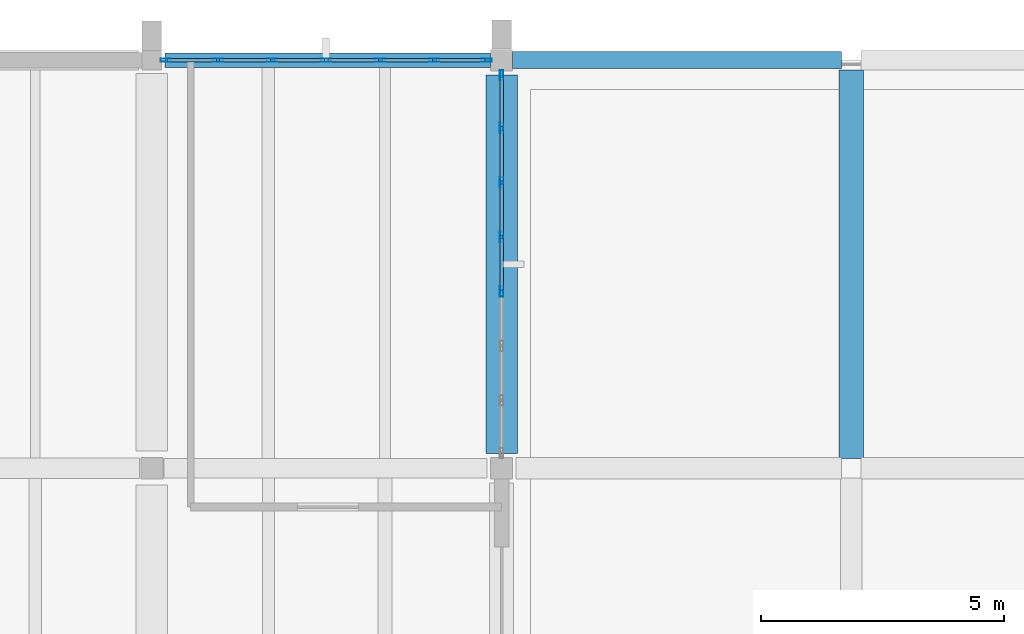
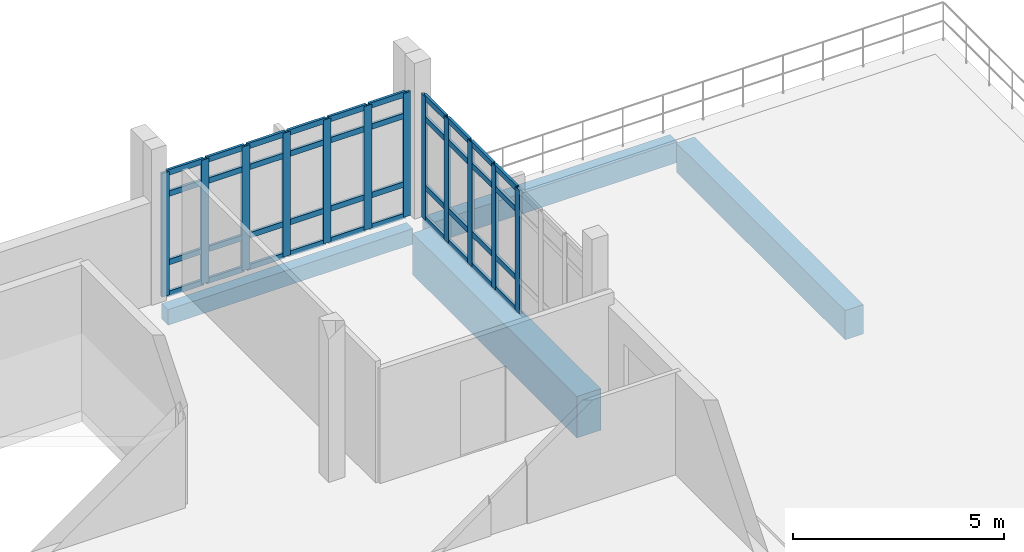
# One storey, part 20 of 34: 52 members, 4 beams, 2 elements without a shape of their own.
"""IFC4 building model written with IfcOpenShell, lengths in metres."""

from ifc_helpers import new_model, si_unit, direction, frame, origin, origin_2d, place, context, subcontext, project, spatial, rectangle, hollow_rectangle, extrude, material, material_profile, profile_set, type_object, element, aggregate, save


model = new_model("IFC4")

# Units and contexts
model_context = context("Model", 3, precision=1e-05, world=origin(), true_north=direction((0.0, 1.0)))
body_context = subcontext(model_context, "Body", "Model", "MODEL_VIEW")
ifc_project = project(units=[si_unit("LENGTHUNIT", "METRE"), si_unit("AREAUNIT", "SQUARE_METRE"), si_unit("VOLUMEUNIT", "CUBIC_METRE"), si_unit("PLANEANGLEUNIT", "RADIAN"), si_unit("MASSUNIT", "GRAM", prefix="KILO")], contexts=[model_context])

# Site, building, storey
site_placement = place(None, origin())
site = spatial("IfcSite", under=ifc_project, at=site_placement, CompositionType="ELEMENT")
building_placement = place(site_placement, origin())
building = spatial("IfcBuilding", under=site, at=building_placement, Name="Kalluvel Institute of Natural Sciences", CompositionType="ELEMENT")
storey_placement = place(building_placement, frame((0.0, 0.0, 36.89990234375)))
storey = spatial("IfcBuildingStorey", under=building, at=storey_placement, Name="L08", CompositionType="ELEMENT", Elevation=36.89990234375)

# Beams
ifc_material_1 = material(Name="Concrete M50", Category="concrete")
ifc_material_profile_1 = material_profile(ifc_material_1, rectangle(XDim=0.5, YDim=0.85009765625, at=origin_2d()), Name="RCB 500x850")
ifc_profile_set_1 = profile_set([ifc_material_profile_1], Name="Concrete M50")
beam_type_1 = type_object("IfcBeamType", Name="BM-RC500x850", PredefinedType="BEAM", material=ifc_profile_set_1)
beam_1_placement = place(storey_placement, frame((93.199951171875, 119.800048828125, -0.744873046875), z_axis=(0.0, 1.0, 0.0), x_axis=(-1.0, 0.0, 0.0)))
element("IfcBeam", 1, at=beam_1_placement, inside=storey, type_object=beam_type_1, Name="L08 girder GIR-L08-NS-X932-Y1196", PredefinedType="BEAM", context=body_context, shape_type="SweptSolid", body=[
    extrude(rectangle(XDim=0.5, YDim=0.85009765625, at=origin_2d()), origin(), (0.0, 0.0, 1.0), 8.0),
])
ifc_material_profile_2 = material_profile(ifc_material_1, rectangle(XDim=0.64990234375, YDim=1.199951171875, at=origin_2d()), Name="RCB 650x1200")
ifc_profile_set_2 = profile_set([ifc_material_profile_2], Name="Concrete M50")
beam_type_2 = type_object("IfcBeamType", Name="BM-RC650x1200", PredefinedType="BEAM", material=ifc_profile_set_2)
beam_2_placement = place(storey_placement, frame((86.0, 119.89990234375, -0.919921875), z_axis=(0.0, 1.0, 0.0), x_axis=(-1.0, 0.0, 0.0)))
element("IfcBeam", 2, at=beam_2_placement, inside=storey, type_object=beam_type_2, Name="L08 girder GIR-L08-NS-X860-Y1196", PredefinedType="BEAM", context=body_context, shape_type="SweptSolid", body=[
    extrude(rectangle(XDim=0.64990234375, YDim=1.199951171875, at=origin_2d()), origin(), (0.0, 0.0, 1.0), 7.800048828125),
])

# Curtain wall, members
ifc_material_2 = material(Name="Aluminium AW-6063 T6", Category="aluminium")
curtain_wall_type = type_object("IfcCurtainWallType", Name="CW-WET-45", PredefinedType="USERDEFINED", material=ifc_material_2)
curtain_wall_1_placement = place(storey_placement, origin())
curtain_wall_1 = element("IfcCurtainWall", 3, at=curtain_wall_1_placement, inside=storey, type_object=curtain_wall_type, Name="L08 Gothic lancet curtain wall CWA-L08-X790-Y1280", ObjectType="UNITISED LANCET FACADE", PredefinedType="USERDEFINED")
ifc_material_profile_3 = material_profile(ifc_material_2, hollow_rectangle(XDim=0.070068359375, YDim=0.2099609375, WallThickness=0.0048828125, at=origin_2d()), Name="CWM 70x210")
ifc_profile_set_3 = profile_set([ifc_material_profile_3], Name="Aluminium AW-6063 T6")
member_type_1 = type_object("IfcMemberType", Name="CWM-70x210", PredefinedType="MULLION", material=ifc_profile_set_3)
member_1_placement = place(storey_placement, frame((79.0849609375, 128.0, 0.0), z_axis=(0.0, 0.0, 1.0), x_axis=(0.0, 1.0, 0.0)))
member_1 = element("IfcMember", 4, at=member_1_placement, type_object=member_type_1, Name="CW-01 mullion 1", PredefinedType="MULLION", context=body_context, shape_type="SweptSolid", body=[
    extrude(hollow_rectangle(XDim=0.070068359375, YDim=0.2099609375, WallThickness=0.0048828125, at=origin_2d()), origin(), (0.0, 0.0, 1.0), 3.580078125),
])
member_2_placement = place(storey_placement, frame((80.16259765625, 128.0, 0.0), z_axis=(0.0, 0.0, 1.0), x_axis=(0.0, 1.0, 0.0)))
member_2 = element("IfcMember", 5, at=member_2_placement, type_object=member_type_1, Name="CW-01 mullion 2", PredefinedType="MULLION", context=body_context, shape_type="SweptSolid", body=[
    extrude(hollow_rectangle(XDim=0.070068359375, YDim=0.2099609375, WallThickness=0.0048828125, at=origin_2d()), origin(), (0.0, 0.0, 1.0), 3.580078125),
])
member_3_placement = place(storey_placement, frame((81.27490234375, 128.0, 0.0), z_axis=(0.0, 0.0, 1.0), x_axis=(0.0, 1.0, 0.0)))
member_3 = element("IfcMember", 6, at=member_3_placement, type_object=member_type_1, Name="CW-01 mullion 3", PredefinedType="MULLION", context=body_context, shape_type="SweptSolid", body=[
    extrude(hollow_rectangle(XDim=0.070068359375, YDim=0.2099609375, WallThickness=0.0048828125, at=origin_2d()), origin(), (0.0, 0.0, 1.0), 3.580078125),
])
member_4_placement = place(storey_placement, frame((82.387451171875, 128.0, 0.0), z_axis=(0.0, 0.0, 1.0), x_axis=(0.0, 1.0, 0.0)))
member_4 = element("IfcMember", 7, at=member_4_placement, type_object=member_type_1, Name="CW-01 mullion 4", PredefinedType="MULLION", context=body_context, shape_type="SweptSolid", body=[
    extrude(hollow_rectangle(XDim=0.070068359375, YDim=0.2099609375, WallThickness=0.0048828125, at=origin_2d()), origin(), (0.0, 0.0, 1.0), 3.580078125),
])
member_5_placement = place(storey_placement, frame((83.5, 128.0, 0.0), z_axis=(0.0, 0.0, 1.0), x_axis=(0.0, 1.0, 0.0)))
member_5 = element("IfcMember", 8, at=member_5_placement, type_object=member_type_1, Name="CW-01 mullion 5", PredefinedType="MULLION", context=body_context, shape_type="SweptSolid", body=[
    extrude(hollow_rectangle(XDim=0.070068359375, YDim=0.2099609375, WallThickness=0.0048828125, at=origin_2d()), origin(), (0.0, 0.0, 1.0), 3.580078125),
])
member_6_placement = place(storey_placement, frame((84.612548828125, 128.0, 0.0), z_axis=(0.0, 0.0, 1.0), x_axis=(0.0, 1.0, 0.0)))
member_6 = element("IfcMember", 9, at=member_6_placement, type_object=member_type_1, Name="CW-01 mullion 6", PredefinedType="MULLION", context=body_context, shape_type="SweptSolid", body=[
    extrude(hollow_rectangle(XDim=0.070068359375, YDim=0.2099609375, WallThickness=0.0048828125, at=origin_2d()), origin(), (0.0, 0.0, 1.0), 3.580078125),
])
member_7_placement = place(storey_placement, frame((85.68994140625, 128.0, 0.0), z_axis=(0.0, 0.0, 1.0), x_axis=(0.0, 1.0, 0.0)))
member_7 = element("IfcMember", 10, at=member_7_placement, type_object=member_type_1, Name="CW-01 mullion 7", PredefinedType="MULLION", context=body_context, shape_type="SweptSolid", body=[
    extrude(hollow_rectangle(XDim=0.070068359375, YDim=0.2099609375, WallThickness=0.0048828125, at=origin_2d()), origin(), (0.0, 0.0, 1.0), 3.580078125),
])

curtain_wall_2_placement = place(storey_placement, origin())
curtain_wall_2 = element("IfcCurtainWall", 11, at=curtain_wall_2_placement, inside=storey, type_object=curtain_wall_type, Name="L08 Gothic lancet curtain wall CWA-L08-X860-Y1199", ObjectType="UNITISED LANCET FACADE", PredefinedType="USERDEFINED")
member_8_placement = place(storey_placement, frame((86.0, 123.2392578125, 0.0), z_axis=(0.0, 0.0, 1.0), x_axis=(-1.0, 0.0, 0.0)))
member_8 = element("IfcMember", 12, at=member_8_placement, type_object=member_type_1, Name="CW-01 mullion 4", PredefinedType="MULLION", context=body_context, shape_type="SweptSolid", body=[
    extrude(hollow_rectangle(XDim=0.070068359375, YDim=0.2099609375, WallThickness=0.0048828125, at=origin_2d()), origin(), (0.0, 0.0, 1.0), 3.580078125),
])
member_9_placement = place(storey_placement, frame((86.0, 124.360595703125, 0.0), z_axis=(0.0, 0.0, 1.0), x_axis=(-1.0, 0.0, 0.0)))
member_9 = element("IfcMember", 13, at=member_9_placement, type_object=member_type_1, Name="CW-01 mullion 5", PredefinedType="MULLION", context=body_context, shape_type="SweptSolid", body=[
    extrude(hollow_rectangle(XDim=0.070068359375, YDim=0.2099609375, WallThickness=0.0048828125, at=origin_2d()), origin(), (0.0, 0.0, 1.0), 3.580078125),
])
member_10_placement = place(storey_placement, frame((86.0, 125.482177734375, 0.0), z_axis=(0.0, 0.0, 1.0), x_axis=(-1.0, 0.0, 0.0)))
member_10 = element("IfcMember", 14, at=member_10_placement, type_object=member_type_1, Name="CW-01 mullion 6", PredefinedType="MULLION", context=body_context, shape_type="SweptSolid", body=[
    extrude(hollow_rectangle(XDim=0.070068359375, YDim=0.2099609375, WallThickness=0.0048828125, at=origin_2d()), origin(), (0.0, 0.0, 1.0), 3.580078125),
])
member_11_placement = place(storey_placement, frame((86.0, 126.603515625, 0.0), z_axis=(0.0, 0.0, 1.0), x_axis=(-1.0, 0.0, 0.0)))
member_11 = element("IfcMember", 15, at=member_11_placement, type_object=member_type_1, Name="CW-01 mullion 7", PredefinedType="MULLION", context=body_context, shape_type="SweptSolid", body=[
    extrude(hollow_rectangle(XDim=0.070068359375, YDim=0.2099609375, WallThickness=0.0048828125, at=origin_2d()), origin(), (0.0, 0.0, 1.0), 3.580078125),
])
member_12_placement = place(storey_placement, frame((86.0, 127.68994140625, 0.0), z_axis=(0.0, 0.0, 1.0), x_axis=(-1.0, 0.0, 0.0)))
member_12 = element("IfcMember", 16, at=member_12_placement, type_object=member_type_1, Name="CW-01 mullion 8", PredefinedType="MULLION", context=body_context, shape_type="SweptSolid", body=[
    extrude(hollow_rectangle(XDim=0.070068359375, YDim=0.2099609375, WallThickness=0.0048828125, at=origin_2d()), origin(), (0.0, 0.0, 1.0), 3.580078125),
])

# Member
ifc_material_profile_4 = material_profile(ifc_material_2, hollow_rectangle(XDim=0.070068359375, YDim=0.159912109375, WallThickness=0.0048828125, at=origin_2d()), Name="CWT 70x160")
ifc_profile_set_4 = profile_set([ifc_material_profile_4], Name="Aluminium AW-6063 T6")
member_type_2 = type_object("IfcMemberType", Name="CWT-70x160", PredefinedType="USERDEFINED", material=ifc_profile_set_4)
member_13_placement = place(storey_placement, frame((79.1201171875, 128.0, 0.03515625), z_axis=(1.0, 0.0, 0.0), x_axis=(0.0, 1.0, 0.0)))
member_13 = element("IfcMember", 17, at=member_13_placement, type_object=member_type_2, Name="CW-01 transom 1.1", ObjectType="TRANSOM", PredefinedType="USERDEFINED", context=body_context, shape_type="SweptSolid", body=[
    extrude(hollow_rectangle(XDim=0.070068359375, YDim=0.159912109375, WallThickness=0.0048828125, at=origin_2d()), origin(), (0.0, 0.0, 1.0), 1.00732421875),
])

member_14_placement = place(storey_placement, frame((79.1201171875, 128.0, 0.9501953125), z_axis=(1.0, 0.0, 0.0), x_axis=(0.0, 1.0, 0.0)))
member_14 = element("IfcMember", 18, at=member_14_placement, type_object=member_type_2, Name="CW-01 transom 1.2", ObjectType="TRANSOM", PredefinedType="USERDEFINED", context=body_context, shape_type="SweptSolid", body=[
    extrude(hollow_rectangle(XDim=0.070068359375, YDim=0.159912109375, WallThickness=0.0048828125, at=origin_2d()), origin(), (0.0, 0.0, 1.0), 1.00732421875),
])

member_15_placement = place(storey_placement, frame((79.1201171875, 128.0, 2.93017578125), z_axis=(1.0, 0.0, 0.0), x_axis=(0.0, 1.0, 0.0)))
member_15 = element("IfcMember", 19, at=member_15_placement, type_object=member_type_2, Name="CW-01 transom 1.3", ObjectType="TRANSOM", PredefinedType="USERDEFINED", context=body_context, shape_type="SweptSolid", body=[
    extrude(hollow_rectangle(XDim=0.070068359375, YDim=0.159912109375, WallThickness=0.0048828125, at=origin_2d()), origin(), (0.0, 0.0, 1.0), 1.00732421875),
])

member_16_placement = place(storey_placement, frame((79.1201171875, 128.0, 3.545166015625), z_axis=(1.0, 0.0, 0.0), x_axis=(0.0, 1.0, 0.0)))
member_16 = element("IfcMember", 20, at=member_16_placement, type_object=member_type_2, Name="CW-01 transom 1.4", ObjectType="TRANSOM", PredefinedType="USERDEFINED", context=body_context, shape_type="SweptSolid", body=[
    extrude(hollow_rectangle(XDim=0.070068359375, YDim=0.159912109375, WallThickness=0.0048828125, at=origin_2d()), origin(), (0.0, 0.0, 1.0), 1.00732421875),
])

member_17_placement = place(storey_placement, frame((80.197509765625, 128.0, 0.03515625), z_axis=(1.0, 0.0, 0.0), x_axis=(0.0, 1.0, 0.0)))
member_17 = element("IfcMember", 21, at=member_17_placement, type_object=member_type_2, Name="CW-01 transom 2.1", ObjectType="TRANSOM", PredefinedType="USERDEFINED", context=body_context, shape_type="SweptSolid", body=[
    extrude(hollow_rectangle(XDim=0.070068359375, YDim=0.159912109375, WallThickness=0.0048828125, at=origin_2d()), origin(), (0.0, 0.0, 1.0), 1.04248046875),
])

member_18_placement = place(storey_placement, frame((80.197509765625, 128.0, 0.9501953125), z_axis=(1.0, 0.0, 0.0), x_axis=(0.0, 1.0, 0.0)))
member_18 = element("IfcMember", 22, at=member_18_placement, type_object=member_type_2, Name="CW-01 transom 2.2", ObjectType="TRANSOM", PredefinedType="USERDEFINED", context=body_context, shape_type="SweptSolid", body=[
    extrude(hollow_rectangle(XDim=0.070068359375, YDim=0.159912109375, WallThickness=0.0048828125, at=origin_2d()), origin(), (0.0, 0.0, 1.0), 1.04248046875),
])

member_19_placement = place(storey_placement, frame((80.197509765625, 128.0, 2.93017578125), z_axis=(1.0, 0.0, 0.0), x_axis=(0.0, 1.0, 0.0)))
member_19 = element("IfcMember", 23, at=member_19_placement, type_object=member_type_2, Name="CW-01 transom 2.3", ObjectType="TRANSOM", PredefinedType="USERDEFINED", context=body_context, shape_type="SweptSolid", body=[
    extrude(hollow_rectangle(XDim=0.070068359375, YDim=0.159912109375, WallThickness=0.0048828125, at=origin_2d()), origin(), (0.0, 0.0, 1.0), 1.04248046875),
])

member_20_placement = place(storey_placement, frame((80.197509765625, 128.0, 3.545166015625), z_axis=(1.0, 0.0, 0.0), x_axis=(0.0, 1.0, 0.0)))
member_20 = element("IfcMember", 24, at=member_20_placement, type_object=member_type_2, Name="CW-01 transom 2.4", ObjectType="TRANSOM", PredefinedType="USERDEFINED", context=body_context, shape_type="SweptSolid", body=[
    extrude(hollow_rectangle(XDim=0.070068359375, YDim=0.159912109375, WallThickness=0.0048828125, at=origin_2d()), origin(), (0.0, 0.0, 1.0), 1.04248046875),
])

member_21_placement = place(storey_placement, frame((81.31005859375, 128.0, 0.03515625), z_axis=(1.0, 0.0, 0.0), x_axis=(0.0, 1.0, 0.0)))
member_21 = element("IfcMember", 25, at=member_21_placement, type_object=member_type_2, Name="CW-01 transom 3.1", ObjectType="TRANSOM", PredefinedType="USERDEFINED", context=body_context, shape_type="SweptSolid", body=[
    extrude(hollow_rectangle(XDim=0.070068359375, YDim=0.159912109375, WallThickness=0.0048828125, at=origin_2d()), origin(), (0.0, 0.0, 1.0), 1.04248046875),
])

member_22_placement = place(storey_placement, frame((81.31005859375, 128.0, 0.9501953125), z_axis=(1.0, 0.0, 0.0), x_axis=(0.0, 1.0, 0.0)))
member_22 = element("IfcMember", 26, at=member_22_placement, type_object=member_type_2, Name="CW-01 transom 3.2", ObjectType="TRANSOM", PredefinedType="USERDEFINED", context=body_context, shape_type="SweptSolid", body=[
    extrude(hollow_rectangle(XDim=0.070068359375, YDim=0.159912109375, WallThickness=0.0048828125, at=origin_2d()), origin(), (0.0, 0.0, 1.0), 1.04248046875),
])

member_23_placement = place(storey_placement, frame((81.31005859375, 128.0, 2.93017578125), z_axis=(1.0, 0.0, 0.0), x_axis=(0.0, 1.0, 0.0)))
member_23 = element("IfcMember", 27, at=member_23_placement, type_object=member_type_2, Name="CW-01 transom 3.3", ObjectType="TRANSOM", PredefinedType="USERDEFINED", context=body_context, shape_type="SweptSolid", body=[
    extrude(hollow_rectangle(XDim=0.070068359375, YDim=0.159912109375, WallThickness=0.0048828125, at=origin_2d()), origin(), (0.0, 0.0, 1.0), 1.04248046875),
])

member_24_placement = place(storey_placement, frame((81.31005859375, 128.0, 3.545166015625), z_axis=(1.0, 0.0, 0.0), x_axis=(0.0, 1.0, 0.0)))
member_24 = element("IfcMember", 28, at=member_24_placement, type_object=member_type_2, Name="CW-01 transom 3.4", ObjectType="TRANSOM", PredefinedType="USERDEFINED", context=body_context, shape_type="SweptSolid", body=[
    extrude(hollow_rectangle(XDim=0.070068359375, YDim=0.159912109375, WallThickness=0.0048828125, at=origin_2d()), origin(), (0.0, 0.0, 1.0), 1.04248046875),
])

member_25_placement = place(storey_placement, frame((82.422607421875, 128.0, 0.03515625), z_axis=(1.0, 0.0, 0.0), x_axis=(0.0, 1.0, 0.0)))
member_25 = element("IfcMember", 29, at=member_25_placement, type_object=member_type_2, Name="CW-01 transom 4.1", ObjectType="TRANSOM", PredefinedType="USERDEFINED", context=body_context, shape_type="SweptSolid", body=[
    extrude(hollow_rectangle(XDim=0.070068359375, YDim=0.159912109375, WallThickness=0.0048828125, at=origin_2d()), origin(), (0.0, 0.0, 1.0), 1.04248046875),
])

member_26_placement = place(storey_placement, frame((82.422607421875, 128.0, 0.9501953125), z_axis=(1.0, 0.0, 0.0), x_axis=(0.0, 1.0, 0.0)))
member_26 = element("IfcMember", 30, at=member_26_placement, type_object=member_type_2, Name="CW-01 transom 4.2", ObjectType="TRANSOM", PredefinedType="USERDEFINED", context=body_context, shape_type="SweptSolid", body=[
    extrude(hollow_rectangle(XDim=0.070068359375, YDim=0.159912109375, WallThickness=0.0048828125, at=origin_2d()), origin(), (0.0, 0.0, 1.0), 1.04248046875),
])

member_27_placement = place(storey_placement, frame((82.422607421875, 128.0, 2.93017578125), z_axis=(1.0, 0.0, 0.0), x_axis=(0.0, 1.0, 0.0)))
member_27 = element("IfcMember", 31, at=member_27_placement, type_object=member_type_2, Name="CW-01 transom 4.3", ObjectType="TRANSOM", PredefinedType="USERDEFINED", context=body_context, shape_type="SweptSolid", body=[
    extrude(hollow_rectangle(XDim=0.070068359375, YDim=0.159912109375, WallThickness=0.0048828125, at=origin_2d()), origin(), (0.0, 0.0, 1.0), 1.04248046875),
])

member_28_placement = place(storey_placement, frame((82.422607421875, 128.0, 3.545166015625), z_axis=(1.0, 0.0, 0.0), x_axis=(0.0, 1.0, 0.0)))
member_28 = element("IfcMember", 32, at=member_28_placement, type_object=member_type_2, Name="CW-01 transom 4.4", ObjectType="TRANSOM", PredefinedType="USERDEFINED", context=body_context, shape_type="SweptSolid", body=[
    extrude(hollow_rectangle(XDim=0.070068359375, YDim=0.159912109375, WallThickness=0.0048828125, at=origin_2d()), origin(), (0.0, 0.0, 1.0), 1.04248046875),
])

member_29_placement = place(storey_placement, frame((83.534912109375, 128.0, 0.03515625), z_axis=(1.0, 0.0, 0.0), x_axis=(0.0, 1.0, 0.0)))
member_29 = element("IfcMember", 33, at=member_29_placement, type_object=member_type_2, Name="CW-01 transom 5.1", ObjectType="TRANSOM", PredefinedType="USERDEFINED", context=body_context, shape_type="SweptSolid", body=[
    extrude(hollow_rectangle(XDim=0.070068359375, YDim=0.159912109375, WallThickness=0.0048828125, at=origin_2d()), origin(), (0.0, 0.0, 1.0), 1.04248046875),
])

member_30_placement = place(storey_placement, frame((83.534912109375, 128.0, 0.9501953125), z_axis=(1.0, 0.0, 0.0), x_axis=(0.0, 1.0, 0.0)))
member_30 = element("IfcMember", 34, at=member_30_placement, type_object=member_type_2, Name="CW-01 transom 5.2", ObjectType="TRANSOM", PredefinedType="USERDEFINED", context=body_context, shape_type="SweptSolid", body=[
    extrude(hollow_rectangle(XDim=0.070068359375, YDim=0.159912109375, WallThickness=0.0048828125, at=origin_2d()), origin(), (0.0, 0.0, 1.0), 1.04248046875),
])

member_31_placement = place(storey_placement, frame((83.534912109375, 128.0, 2.93017578125), z_axis=(1.0, 0.0, 0.0), x_axis=(0.0, 1.0, 0.0)))
member_31 = element("IfcMember", 35, at=member_31_placement, type_object=member_type_2, Name="CW-01 transom 5.3", ObjectType="TRANSOM", PredefinedType="USERDEFINED", context=body_context, shape_type="SweptSolid", body=[
    extrude(hollow_rectangle(XDim=0.070068359375, YDim=0.159912109375, WallThickness=0.0048828125, at=origin_2d()), origin(), (0.0, 0.0, 1.0), 1.04248046875),
])

member_32_placement = place(storey_placement, frame((83.534912109375, 128.0, 3.545166015625), z_axis=(1.0, 0.0, 0.0), x_axis=(0.0, 1.0, 0.0)))
member_32 = element("IfcMember", 36, at=member_32_placement, type_object=member_type_2, Name="CW-01 transom 5.4", ObjectType="TRANSOM", PredefinedType="USERDEFINED", context=body_context, shape_type="SweptSolid", body=[
    extrude(hollow_rectangle(XDim=0.070068359375, YDim=0.159912109375, WallThickness=0.0048828125, at=origin_2d()), origin(), (0.0, 0.0, 1.0), 1.04248046875),
])

member_33_placement = place(storey_placement, frame((84.6474609375, 128.0, 0.03515625), z_axis=(1.0, 0.0, 0.0), x_axis=(0.0, 1.0, 0.0)))
member_33 = element("IfcMember", 37, at=member_33_placement, type_object=member_type_2, Name="CW-01 transom 6.1", ObjectType="TRANSOM", PredefinedType="USERDEFINED", context=body_context, shape_type="SweptSolid", body=[
    extrude(hollow_rectangle(XDim=0.070068359375, YDim=0.159912109375, WallThickness=0.0048828125, at=origin_2d()), origin(), (0.0, 0.0, 1.0), 1.007568359375),
])

member_34_placement = place(storey_placement, frame((84.6474609375, 128.0, 0.9501953125), z_axis=(1.0, 0.0, 0.0), x_axis=(0.0, 1.0, 0.0)))
member_34 = element("IfcMember", 38, at=member_34_placement, type_object=member_type_2, Name="CW-01 transom 6.2", ObjectType="TRANSOM", PredefinedType="USERDEFINED", context=body_context, shape_type="SweptSolid", body=[
    extrude(hollow_rectangle(XDim=0.070068359375, YDim=0.159912109375, WallThickness=0.0048828125, at=origin_2d()), origin(), (0.0, 0.0, 1.0), 1.007568359375),
])

member_35_placement = place(storey_placement, frame((84.6474609375, 128.0, 2.93017578125), z_axis=(1.0, 0.0, 0.0), x_axis=(0.0, 1.0, 0.0)))
member_35 = element("IfcMember", 39, at=member_35_placement, type_object=member_type_2, Name="CW-01 transom 6.3", ObjectType="TRANSOM", PredefinedType="USERDEFINED", context=body_context, shape_type="SweptSolid", body=[
    extrude(hollow_rectangle(XDim=0.070068359375, YDim=0.159912109375, WallThickness=0.0048828125, at=origin_2d()), origin(), (0.0, 0.0, 1.0), 1.007568359375),
])

member_36_placement = place(storey_placement, frame((84.6474609375, 128.0, 3.545166015625), z_axis=(1.0, 0.0, 0.0), x_axis=(0.0, 1.0, 0.0)))
member_36 = element("IfcMember", 40, at=member_36_placement, type_object=member_type_2, Name="CW-01 transom 6.4", ObjectType="TRANSOM", PredefinedType="USERDEFINED", context=body_context, shape_type="SweptSolid", body=[
    extrude(hollow_rectangle(XDim=0.070068359375, YDim=0.159912109375, WallThickness=0.0048828125, at=origin_2d()), origin(), (0.0, 0.0, 1.0), 1.007568359375),
])

aggregate(curtain_wall_1, [member_1, member_2, member_3, member_4, member_5, member_6, member_7, member_13, member_14, member_15, member_16, member_17, member_18, member_19, member_20, member_21, member_22, member_23, member_24, member_25, member_26, member_27, member_28, member_29, member_30, member_31, member_32, member_33, member_34, member_35, member_36])

member_37_placement = place(storey_placement, frame((86.0, 123.274169921875, 0.03515625), z_axis=(0.0, 1.0, 0.0), x_axis=(-1.0, 0.0, 0.0)))
member_37 = element("IfcMember", 41, at=member_37_placement, type_object=member_type_2, Name="CW-01 transom 4.1", ObjectType="TRANSOM", PredefinedType="USERDEFINED", context=body_context, shape_type="SweptSolid", body=[
    extrude(hollow_rectangle(XDim=0.070068359375, YDim=0.159912109375, WallThickness=0.0048828125, at=origin_2d()), origin(), (0.0, 0.0, 1.0), 1.051513671875),
])

member_38_placement = place(storey_placement, frame((86.0, 123.274169921875, 0.9501953125), z_axis=(0.0, 1.0, 0.0), x_axis=(-1.0, 0.0, 0.0)))
member_38 = element("IfcMember", 42, at=member_38_placement, type_object=member_type_2, Name="CW-01 transom 4.2", ObjectType="TRANSOM", PredefinedType="USERDEFINED", context=body_context, shape_type="SweptSolid", body=[
    extrude(hollow_rectangle(XDim=0.070068359375, YDim=0.159912109375, WallThickness=0.0048828125, at=origin_2d()), origin(), (0.0, 0.0, 1.0), 1.051513671875),
])

member_39_placement = place(storey_placement, frame((86.0, 123.274169921875, 2.93017578125), z_axis=(0.0, 1.0, 0.0), x_axis=(-1.0, 0.0, 0.0)))
member_39 = element("IfcMember", 43, at=member_39_placement, type_object=member_type_2, Name="CW-01 transom 4.3", ObjectType="TRANSOM", PredefinedType="USERDEFINED", context=body_context, shape_type="SweptSolid", body=[
    extrude(hollow_rectangle(XDim=0.070068359375, YDim=0.159912109375, WallThickness=0.0048828125, at=origin_2d()), origin(), (0.0, 0.0, 1.0), 1.051513671875),
])

member_40_placement = place(storey_placement, frame((86.0, 123.274169921875, 3.545166015625), z_axis=(0.0, 1.0, 0.0), x_axis=(-1.0, 0.0, 0.0)))
member_40 = element("IfcMember", 44, at=member_40_placement, type_object=member_type_2, Name="CW-01 transom 4.4", ObjectType="TRANSOM", PredefinedType="USERDEFINED", context=body_context, shape_type="SweptSolid", body=[
    extrude(hollow_rectangle(XDim=0.070068359375, YDim=0.159912109375, WallThickness=0.0048828125, at=origin_2d()), origin(), (0.0, 0.0, 1.0), 1.051513671875),
])

member_41_placement = place(storey_placement, frame((86.0, 124.395751953125, 0.03515625), z_axis=(0.0, 1.0, 0.0), x_axis=(-1.0, 0.0, 0.0)))
member_41 = element("IfcMember", 45, at=member_41_placement, type_object=member_type_2, Name="CW-01 transom 5.1", ObjectType="TRANSOM", PredefinedType="USERDEFINED", context=body_context, shape_type="SweptSolid", body=[
    extrude(hollow_rectangle(XDim=0.070068359375, YDim=0.159912109375, WallThickness=0.0048828125, at=origin_2d()), origin(), (0.0, 0.0, 1.0), 1.05126953125),
])

member_42_placement = place(storey_placement, frame((86.0, 124.395751953125, 0.9501953125), z_axis=(0.0, 1.0, 0.0), x_axis=(-1.0, 0.0, 0.0)))
member_42 = element("IfcMember", 46, at=member_42_placement, type_object=member_type_2, Name="CW-01 transom 5.2", ObjectType="TRANSOM", PredefinedType="USERDEFINED", context=body_context, shape_type="SweptSolid", body=[
    extrude(hollow_rectangle(XDim=0.070068359375, YDim=0.159912109375, WallThickness=0.0048828125, at=origin_2d()), origin(), (0.0, 0.0, 1.0), 1.05126953125),
])

member_43_placement = place(storey_placement, frame((86.0, 124.395751953125, 2.93017578125), z_axis=(0.0, 1.0, 0.0), x_axis=(-1.0, 0.0, 0.0)))
member_43 = element("IfcMember", 47, at=member_43_placement, type_object=member_type_2, Name="CW-01 transom 5.3", ObjectType="TRANSOM", PredefinedType="USERDEFINED", context=body_context, shape_type="SweptSolid", body=[
    extrude(hollow_rectangle(XDim=0.070068359375, YDim=0.159912109375, WallThickness=0.0048828125, at=origin_2d()), origin(), (0.0, 0.0, 1.0), 1.05126953125),
])

member_44_placement = place(storey_placement, frame((86.0, 124.395751953125, 3.545166015625), z_axis=(0.0, 1.0, 0.0), x_axis=(-1.0, 0.0, 0.0)))
member_44 = element("IfcMember", 48, at=member_44_placement, type_object=member_type_2, Name="CW-01 transom 5.4", ObjectType="TRANSOM", PredefinedType="USERDEFINED", context=body_context, shape_type="SweptSolid", body=[
    extrude(hollow_rectangle(XDim=0.070068359375, YDim=0.159912109375, WallThickness=0.0048828125, at=origin_2d()), origin(), (0.0, 0.0, 1.0), 1.05126953125),
])

member_45_placement = place(storey_placement, frame((86.0, 125.51708984375, 0.03515625), z_axis=(0.0, 1.0, 0.0), x_axis=(-1.0, 0.0, 0.0)))
member_45 = element("IfcMember", 49, at=member_45_placement, type_object=member_type_2, Name="CW-01 transom 6.1", ObjectType="TRANSOM", PredefinedType="USERDEFINED", context=body_context, shape_type="SweptSolid", body=[
    extrude(hollow_rectangle(XDim=0.070068359375, YDim=0.159912109375, WallThickness=0.0048828125, at=origin_2d()), origin(), (0.0, 0.0, 1.0), 1.051513671875),
])

member_46_placement = place(storey_placement, frame((86.0, 125.51708984375, 0.9501953125), z_axis=(0.0, 1.0, 0.0), x_axis=(-1.0, 0.0, 0.0)))
member_46 = element("IfcMember", 50, at=member_46_placement, type_object=member_type_2, Name="CW-01 transom 6.2", ObjectType="TRANSOM", PredefinedType="USERDEFINED", context=body_context, shape_type="SweptSolid", body=[
    extrude(hollow_rectangle(XDim=0.070068359375, YDim=0.159912109375, WallThickness=0.0048828125, at=origin_2d()), origin(), (0.0, 0.0, 1.0), 1.051513671875),
])

member_47_placement = place(storey_placement, frame((86.0, 125.51708984375, 2.93017578125), z_axis=(0.0, 1.0, 0.0), x_axis=(-1.0, 0.0, 0.0)))
member_47 = element("IfcMember", 51, at=member_47_placement, type_object=member_type_2, Name="CW-01 transom 6.3", ObjectType="TRANSOM", PredefinedType="USERDEFINED", context=body_context, shape_type="SweptSolid", body=[
    extrude(hollow_rectangle(XDim=0.070068359375, YDim=0.159912109375, WallThickness=0.0048828125, at=origin_2d()), origin(), (0.0, 0.0, 1.0), 1.051513671875),
])

member_48_placement = place(storey_placement, frame((86.0, 125.51708984375, 3.545166015625), z_axis=(0.0, 1.0, 0.0), x_axis=(-1.0, 0.0, 0.0)))
member_48 = element("IfcMember", 52, at=member_48_placement, type_object=member_type_2, Name="CW-01 transom 6.4", ObjectType="TRANSOM", PredefinedType="USERDEFINED", context=body_context, shape_type="SweptSolid", body=[
    extrude(hollow_rectangle(XDim=0.070068359375, YDim=0.159912109375, WallThickness=0.0048828125, at=origin_2d()), origin(), (0.0, 0.0, 1.0), 1.051513671875),
])

member_49_placement = place(storey_placement, frame((86.0, 126.638671875, 0.03515625), z_axis=(0.0, 1.0, 0.0), x_axis=(-1.0, 0.0, 0.0)))
member_49 = element("IfcMember", 53, at=member_49_placement, type_object=member_type_2, Name="CW-01 transom 7.1", ObjectType="TRANSOM", PredefinedType="USERDEFINED", context=body_context, shape_type="SweptSolid", body=[
    extrude(hollow_rectangle(XDim=0.070068359375, YDim=0.159912109375, WallThickness=0.0048828125, at=origin_2d()), origin(), (0.0, 0.0, 1.0), 1.016357421875),
])

member_50_placement = place(storey_placement, frame((86.0, 126.638671875, 0.9501953125), z_axis=(0.0, 1.0, 0.0), x_axis=(-1.0, 0.0, 0.0)))
member_50 = element("IfcMember", 54, at=member_50_placement, type_object=member_type_2, Name="CW-01 transom 7.2", ObjectType="TRANSOM", PredefinedType="USERDEFINED", context=body_context, shape_type="SweptSolid", body=[
    extrude(hollow_rectangle(XDim=0.070068359375, YDim=0.159912109375, WallThickness=0.0048828125, at=origin_2d()), origin(), (0.0, 0.0, 1.0), 1.016357421875),
])

member_51_placement = place(storey_placement, frame((86.0, 126.638671875, 2.93017578125), z_axis=(0.0, 1.0, 0.0), x_axis=(-1.0, 0.0, 0.0)))
member_51 = element("IfcMember", 55, at=member_51_placement, type_object=member_type_2, Name="CW-01 transom 7.3", ObjectType="TRANSOM", PredefinedType="USERDEFINED", context=body_context, shape_type="SweptSolid", body=[
    extrude(hollow_rectangle(XDim=0.070068359375, YDim=0.159912109375, WallThickness=0.0048828125, at=origin_2d()), origin(), (0.0, 0.0, 1.0), 1.016357421875),
])

member_52_placement = place(storey_placement, frame((86.0, 126.638671875, 3.545166015625), z_axis=(0.0, 1.0, 0.0), x_axis=(-1.0, 0.0, 0.0)))
member_52 = element("IfcMember", 56, at=member_52_placement, type_object=member_type_2, Name="CW-01 transom 7.4", ObjectType="TRANSOM", PredefinedType="USERDEFINED", context=body_context, shape_type="SweptSolid", body=[
    extrude(hollow_rectangle(XDim=0.070068359375, YDim=0.159912109375, WallThickness=0.0048828125, at=origin_2d()), origin(), (0.0, 0.0, 1.0), 1.016357421875),
])

aggregate(curtain_wall_2, [member_8, member_9, member_10, member_11, member_12, member_37, member_38, member_39, member_40, member_41, member_42, member_43, member_44, member_45, member_46, member_47, member_48, member_49, member_50, member_51, member_52])

# Beams
ifc_material_3 = material(Name="Concrete M40", Category="concrete")
ifc_material_profile_5 = material_profile(ifc_material_3, rectangle(XDim=0.300048828125, YDim=0.449951171875, at=origin_2d()), Name="RCB 300x450")
ifc_profile_set_5 = profile_set([ifc_material_profile_5], Name="Concrete M40")
beam_type_3 = type_object("IfcBeamType", Name="SP-RC300x450", PredefinedType="SPANDREL", material=ifc_profile_set_5)
beam_3_placement = place(storey_placement, frame((79.074951171875, 128.0, -0.544921875), z_axis=(1.0, 0.0, 0.0), x_axis=(0.0, 1.0, 0.0)))
element("IfcBeam", 57, at=beam_3_placement, inside=storey, type_object=beam_type_3, Name="L08 girder GIR-L08-EW-X788-Y1280", PredefinedType="SPANDREL", context=body_context, shape_type="SweptSolid", body=[
    extrude(rectangle(XDim=0.300048828125, YDim=0.449951171875, at=origin_2d()), origin(), (0.0, 0.0, 1.0), 6.699951171875),
])
ifc_material_profile_6 = material_profile(ifc_material_3, rectangle(XDim=0.35009765625, YDim=0.60009765625, at=origin_2d()), Name="RCB 350x600")
ifc_profile_set_6 = profile_set([ifc_material_profile_6], Name="Concrete M40")
beam_type_4 = type_object("IfcBeamType", Name="SP-RC350x600", PredefinedType="SPANDREL", material=ifc_profile_set_6)
beam_4_placement = place(storey_placement, frame((86.22509765625, 128.0, -0.619873046875), z_axis=(1.0, 0.0, 0.0), x_axis=(0.0, 1.0, 0.0)))
element("IfcBeam", 58, at=beam_4_placement, inside=storey, type_object=beam_type_4, Name="L08 girder GIR-L08-EW-X860-Y1280", PredefinedType="SPANDREL", context=body_context, shape_type="SweptSolid", body=[
    extrude(rectangle(XDim=0.35009765625, YDim=0.60009765625, at=origin_2d()), origin(), (0.0, 0.0, 1.0), 6.77490234375),
])

save(model, "model.ifc")
